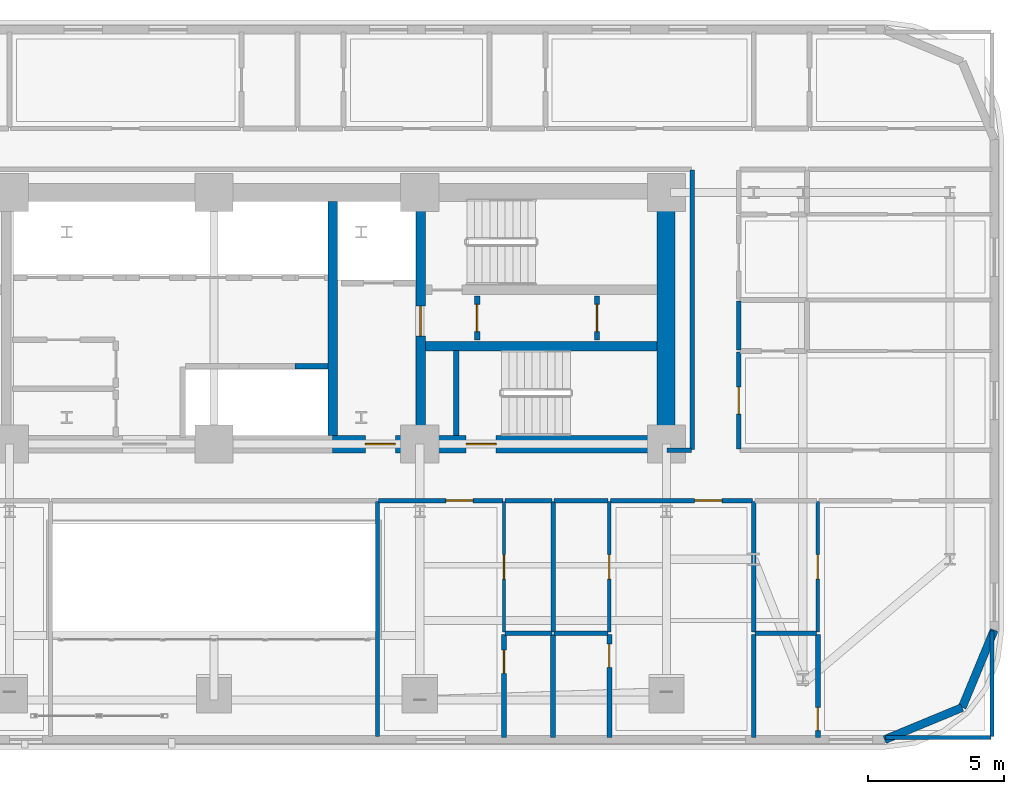
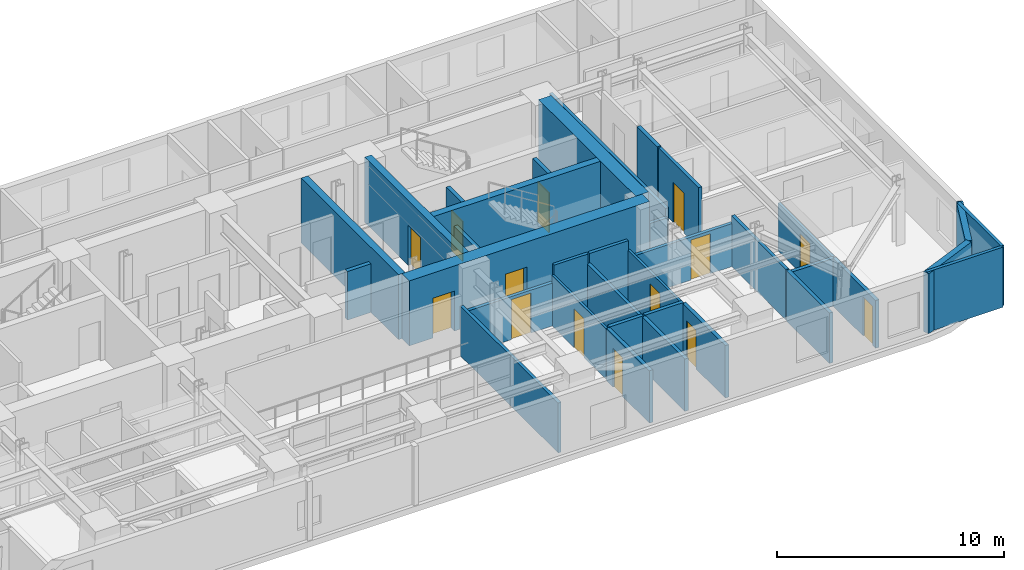
# One storey, part 11 of 16: 35 walls, 14 doors, 14 openings.
"""IFC4 building model written with IfcOpenShell, lengths in metres."""

from ifc_helpers import new_model, si_unit, direction, frame, frame_2d, origin, place, context, subcontext, project, spatial, rectangle, extrude, material, layer, layer_set, type_object, element, fill, save


model = new_model("IFC4")

# Units and contexts
model_context = context("Model", 3, precision=1e-05, world=origin(), true_north=direction((0.0, 1.0)))
body_context = subcontext(model_context, "Body", "Model", "MODEL_VIEW")
ifc_project = project(units=[si_unit("LENGTHUNIT", "METRE"), si_unit("AREAUNIT", "SQUARE_METRE"), si_unit("VOLUMEUNIT", "CUBIC_METRE"), si_unit("PLANEANGLEUNIT", "RADIAN"), si_unit("MASSUNIT", "GRAM", prefix="KILO")], contexts=[model_context])

# Site, building, storey
site_placement = place(None, origin())
site = spatial("IfcSite", under=ifc_project, at=site_placement, CompositionType="ELEMENT")
building_placement = place(site_placement, origin())
building = spatial("IfcBuilding", under=site, at=building_placement, Name="Zarnavel Station Tower", CompositionType="ELEMENT")
storey_placement = place(building_placement, frame((0.0, 0.0, 82.800048828125)))
storey = spatial("IfcBuildingStorey", under=building, at=storey_placement, Name="L22", CompositionType="ELEMENT", Elevation=82.800048828125)

# Wall
ifc_material_1 = material(Name="Concrete C50/60", Category="concrete")
ifc_layer_1 = layer(ifc_material_1, 0.35009765625)
ifc_layer_set_1 = layer_set([ifc_layer_1], Name="CW_350")
wall_type_1 = type_object("IfcWallType", Name="CW_350", PredefinedType="SHEAR", material=ifc_layer_set_1)
wall_1_placement = place(storey_placement, frame((33.14990234375, 28.14501953125, 0.0), z_axis=(0.0, 0.0, 1.0), x_axis=(0.0, 1.0, 0.0)))
element("IfcWall", 1, at=wall_1_placement, inside=storey, type_object=wall_type_1, Name="L22 Rear Core Shear Wall DIV-E", PredefinedType="SHEAR", context=body_context, shape_type="SweptSolid", body=[
    extrude(rectangle(XDim=8.580078125, YDim=0.35009765625, at=frame_2d((4.2900390625, 0.0))), origin(), (0.0, 0.0, 1.0), 3.5),
])

# Wall, opening, door
wall_2_placement = place(storey_placement, frame((36.3798828125, 28.14501953125, 0.0), z_axis=(0.0, 0.0, 1.0), x_axis=(0.0, 1.0, 0.0)))
wall_2 = element("IfcWall", 2, at=wall_2_placement, inside=storey, type_object=wall_type_1, Name="L22 Rear Core Shear Wall DIV-S2", PredefinedType="SHEAR", context=body_context, shape_type="SweptSolid", body=[
    extrude(rectangle(XDim=8.580078125, YDim=0.35009765625, at=frame_2d((4.2900390625, 0.0))), origin(), (0.0, 0.0, 1.0), 3.5),
])
opening_1_placement = place(wall_2_placement, frame((3.635009765625, 0.0, 0.0)))
opening_1 = element("IfcOpeningElement", 3, at=opening_1_placement, cuts=wall_2, Name="Opening FD01", PredefinedType="OPENING", context=body_context, shape_type="SweptSolid", body=[
    extrude(rectangle(XDim=1.10009765625, YDim=2.14990234375, at=frame_2d((0.550048828125, 1.074951171875))), frame((0.0, 0.18505859375, 0.0), z_axis=(0.0, -1.0, 0.0), x_axis=(1.0, 0.0, 0.0)), (0.0, 0.0, 1.0), 0.3701171875),
])
ifc_material_2 = material(Name="Painted Galvanised Steel and Hardwood Leaf", Category="steel")
door_type_1 = type_object("IfcDoorType", Name="ID_STAIR_1100", OperationType="NOTDEFINED", PredefinedType="DOOR", material=ifc_material_2)
door_1_placement = place(opening_1_placement, origin())
door_1 = element("IfcDoor", 4, at=door_1_placement, inside=storey, type_object=door_type_1, Name="L22 East Stair Vestibule Fire Door", OperationType="SINGLE_SWING_LEFT", OverallHeight=2.14990234375, OverallWidth=1.10009765625, PredefinedType="DOOR", context=body_context, shape_type="SweptSolid", body=[
    extrude(rectangle(XDim=1.10009765625, YDim=2.14990234375, at=frame_2d((0.550048828125, 1.074951171875))), frame((0.0, 0.02490234375, 0.0), z_axis=(0.0, -1.0, 0.0), x_axis=(1.0, 0.0, 0.0)), (0.0, 0.0, 1.0), 0.050048828125),
])
fill(opening_1, door_1)

# Wall
wall_3_placement = place(storey_placement, frame((36.554931640625, 31.419921875, 0.0), z_axis=(0.0, 0.0, 1.0), x_axis=(1.0, 0.0, 0.0)))
element("IfcWall", 5, at=wall_3_placement, inside=storey, type_object=wall_type_1, Name="L22 Rear Core Shear Wall DIV-H3", PredefinedType="SHEAR", context=body_context, shape_type="SweptSolid", body=[
    extrude(rectangle(XDim=8.5, YDim=0.35009765625, at=frame_2d((4.25, 0.0))), origin(), (0.0, 0.0, 1.0), 3.5),
])

# Wall, openings, doors
ifc_material_3 = material(Name="Concrete C60/75", Category="concrete")
ifc_layer_2 = layer(ifc_material_3, 0.64990234375)
ifc_layer_set_2 = layer_set([ifc_layer_2], Name="CW_650")
wall_type_2 = type_object("IfcWallType", Name="CW_650", PredefinedType="SHEAR", material=ifc_layer_set_2)
wall_4_placement = place(storey_placement, frame((45.3798828125, 27.820068359375, 0.0), z_axis=(0.0, 0.0, 1.0), x_axis=(-1.0, 0.0, 0.0)))
wall_4 = element("IfcWall", 6, at=wall_4_placement, inside=storey, type_object=wall_type_2, Name="L22 Rear Core Shear Wall S-E", PredefinedType="SHEAR", context=body_context, shape_type="SweptSolid", body=[
    extrude(rectangle(XDim=12.22998046875, YDim=0.64990234375, at=frame_2d((6.114990234375, 0.0))), origin(), (0.0, 0.0, 1.0), 3.5),
])
opening_2_placement = place(wall_4_placement, frame((9.929931640625, 0.0, 0.0)))
opening_2 = element("IfcOpeningElement", 7, at=opening_2_placement, cuts=wall_4, Name="Opening FD01", PredefinedType="OPENING", context=body_context, shape_type="SweptSolid", body=[
    extrude(rectangle(XDim=1.10009765625, YDim=2.14990234375, at=frame_2d((0.550048828125, 1.074951171875))), frame((0.0, 0.3349609375, 0.0), z_axis=(0.0, -1.0, 0.0), x_axis=(1.0, 0.0, 0.0)), (0.0, 0.0, 1.0), 0.669921875),
])
opening_3_placement = place(wall_4_placement, frame((6.22998046875, 0.0, 0.0)))
opening_3 = element("IfcOpeningElement", 8, at=opening_3_placement, cuts=wall_4, Name="Opening FD01", PredefinedType="OPENING", context=body_context, shape_type="SweptSolid", body=[
    extrude(rectangle(XDim=1.10009765625, YDim=2.14990234375, at=frame_2d((0.550048828125, 1.074951171875))), frame((0.0, 0.3349609375, 0.0), z_axis=(0.0, -1.0, 0.0), x_axis=(1.0, 0.0, 0.0)), (0.0, 0.0, 1.0), 0.669921875),
])
door_2_placement = place(opening_2_placement, origin())
door_2 = element("IfcDoor", 9, at=door_2_placement, inside=storey, type_object=door_type_1, Name="L22 East Firefighting Lobby Door", OperationType="SINGLE_SWING_LEFT", OverallHeight=2.14990234375, OverallWidth=1.10009765625, PredefinedType="DOOR", context=body_context, shape_type="SweptSolid", body=[
    extrude(rectangle(XDim=1.10009765625, YDim=2.14990234375, at=frame_2d((0.550048828125, 1.074951171875))), frame((0.0, 0.02490234375, 0.0), z_axis=(0.0, -1.0, 0.0), x_axis=(1.0, 0.0, 0.0)), (0.0, 0.0, 1.0), 0.050048828125),
])
fill(opening_2, door_2)
door_3_placement = place(opening_3_placement, origin())
door_3 = element("IfcDoor", 10, at=door_3_placement, inside=storey, type_object=door_type_1, Name="L22 Stair ST3 Corridor Fire Door", OperationType="SINGLE_SWING_RIGHT", OverallHeight=2.14990234375, OverallWidth=1.10009765625, PredefinedType="DOOR", context=body_context, shape_type="SweptSolid", body=[
    extrude(rectangle(XDim=1.10009765625, YDim=2.14990234375, at=frame_2d((0.550048828125, 1.074951171875))), frame((0.0, 0.02490234375, 0.0), z_axis=(0.0, -1.0, 0.0), x_axis=(1.0, 0.0, 0.0)), (0.0, 0.0, 1.0), 0.050048828125),
])
fill(opening_3, door_3)

# Walls
wall_5_placement = place(storey_placement, frame((45.3798828125, 28.14501953125, 0.0), z_axis=(0.0, 0.0, 1.0), x_axis=(0.0, 1.0, 0.0)))
element("IfcWall", 11, at=wall_5_placement, inside=storey, type_object=wall_type_2, Name="L22 Rear Core Shear Wall E", PredefinedType="SHEAR", context=body_context, shape_type="SweptSolid", body=[
    extrude(rectangle(XDim=8.580078125, YDim=0.64990234375, at=frame_2d((4.2900390625, 0.0))), origin(), (0.0, 0.0, 1.0), 3.5),
])
ifc_material_4 = material(Name="Precast concrete C45/55 (Dark Basalt Finish)", Category="masonry")
ifc_layer_3 = layer(ifc_material_4, 0.300048828125)
ifc_layer_set_3 = layer_set([ifc_layer_3], Name="EW_BASALT_300")
wall_type_3 = type_object("IfcWallType", Name="EW_BASALT_300", PredefinedType="SOLIDWALL", material=ifc_layer_set_3)
wall_6_placement = place(storey_placement, frame((56.24267578125, 18.157470703125, 0.0), z_axis=(0.0, 0.0, 1.0), x_axis=(-0.923882414032, -0.382676475685, 0.0)))
element("IfcWall", 12, at=wall_6_placement, inside=storey, type_object=wall_type_3, Name="L22 Exterior Basalt Masonry Frame Wall 01", PredefinedType="SOLIDWALL", context=body_context, shape_type="SweptSolid", body=[
    extrude(rectangle(XDim=3.076904296875, YDim=0.300048828125, at=frame_2d((1.53857421875, 0.0))), origin(), (0.0, 0.0, 1.0), 3.239990234375),
])
wall_7_placement = place(storey_placement, frame((57.419921875, 21.0, 0.0), z_axis=(0.0, 0.0, 1.0), x_axis=(-0.382636798336, -0.92389884758, 0.0)))
element("IfcWall", 13, at=wall_7_placement, inside=storey, type_object=wall_type_3, Name="L22 Exterior Basalt Masonry Frame Wall 02", PredefinedType="SOLIDWALL", context=body_context, shape_type="SweptSolid", body=[
    extrude(rectangle(XDim=3.07666015625, YDim=0.300048828125, at=frame_2d((1.538330078125, 0.0))), origin(), (0.0, 0.0, 1.0), 3.239990234375),
])

# Wall, opening, door
ifc_material_5 = material(Name="Gypsum Twin-Stud Acoustic Fire Partition", Category="concrete")
ifc_layer_4 = layer(ifc_material_5, 0.159912109375)
ifc_layer_set_4 = layer_set([ifc_layer_4], Name="PT_DEMISE_160")
wall_type_4 = type_object("IfcWallType", Name="PT_DEMISE_160", PredefinedType="PARTITIONING", material=ifc_layer_set_4)
wall_8_placement = place(storey_placement, frame((34.840087890625, 25.75, 0.0), z_axis=(0.0, 0.0, 1.0), x_axis=(1.0, 0.0, 0.0)))
wall_8 = element("IfcWall", 14, at=wall_8_placement, inside=storey, type_object=wall_type_4, Name="L22 Partition COR-S-HE1R", PredefinedType="PARTITIONING", context=body_context, shape_type="SweptSolid", body=[
    extrude(rectangle(XDim=4.556884765625, YDim=0.159912109375, at=frame_2d((2.2783203125, 0.0))), origin(), (0.0, 0.0, 1.0), 2.31005859375),
])
opening_4_placement = place(wall_8_placement, frame((2.461181640625, 0.0, 0.0)))
opening_4 = element("IfcOpeningElement", 15, at=opening_4_placement, cuts=wall_8, Name="Opening FD02", PredefinedType="OPENING", context=body_context, shape_type="SweptSolid", body=[
    extrude(rectangle(XDim=1.0, YDim=2.14990234375, at=frame_2d((0.5, 1.074951171875))), frame((0.0, 0.08984375, 0.0), z_axis=(0.0, -1.0, 0.0), x_axis=(1.0, 0.0, 0.0)), (0.0, 0.0, 1.0), 0.179931640625),
])
ifc_material_6 = material(Name="Painted Galvanised Steel and Hardwood Leaf", Category="steel")
door_type_2 = type_object("IfcDoorType", Name="ID_ENTRY_1000", OperationType="NOTDEFINED", PredefinedType="DOOR", material=ifc_material_6)
door_4_placement = place(opening_4_placement, origin())
door_4 = element("IfcDoor", 16, at=door_4_placement, inside=storey, type_object=door_type_2, Name="L22 Door COR-S-HE1R", OperationType="SINGLE_SWING_RIGHT", OverallHeight=2.14990234375, OverallWidth=1.0, PredefinedType="DOOR", context=body_context, shape_type="SweptSolid", body=[
    extrude(rectangle(XDim=1.0, YDim=2.14990234375, at=frame_2d((0.5, 1.074951171875))), frame((0.0, 0.02490234375, 0.0), z_axis=(0.0, -1.0, 0.0), x_axis=(1.0, 0.0, 0.0)), (0.0, 0.0, 1.0), 0.050048828125),
])
fill(opening_4, door_4)

# Wall
wall_9_placement = place(storey_placement, frame((39.47705078125, 25.75, 0.0), z_axis=(0.0, 0.0, 1.0), x_axis=(1.0, 0.0, 0.0)))
element("IfcWall", 17, at=wall_9_placement, inside=storey, type_object=wall_type_4, Name="L22 Partition COR-S-HE1S", PredefinedType="PARTITIONING", context=body_context, shape_type="SweptSolid", body=[
    extrude(rectangle(XDim=1.722900390625, YDim=0.159912109375, at=frame_2d((0.861328125, 0.0))), origin(), (0.0, 0.0, 1.0), 3.239990234375),
])

# Wall, opening, door
wall_10_placement = place(storey_placement, frame((43.341064453125, 25.75, 0.0), z_axis=(0.0, 0.0, 1.0), x_axis=(1.0, 0.0, 0.0)))
wall_10 = element("IfcWall", 18, at=wall_10_placement, inside=storey, type_object=wall_type_4, Name="L22 Partition COR-S-HE2R", PredefinedType="PARTITIONING", context=body_context, shape_type="SweptSolid", body=[
    extrude(rectangle(XDim=5.218994140625, YDim=0.159912109375, at=frame_2d((2.609375, 0.0))), origin(), (0.0, 0.0, 1.0), 2.31005859375),
])
opening_5_placement = place(wall_10_placement, frame((3.09423828125, 0.0, 0.0)))
opening_5 = element("IfcOpeningElement", 19, at=opening_5_placement, cuts=wall_10, Name="Opening FD02", PredefinedType="OPENING", context=body_context, shape_type="SweptSolid", body=[
    extrude(rectangle(XDim=1.0, YDim=2.14990234375, at=frame_2d((0.5, 1.074951171875))), frame((0.0, 0.08984375, 0.0), z_axis=(0.0, -1.0, 0.0), x_axis=(1.0, 0.0, 0.0)), (0.0, 0.0, 1.0), 0.179931640625),
])
door_5_placement = place(opening_5_placement, origin())
door_5 = element("IfcDoor", 20, at=door_5_placement, inside=storey, type_object=door_type_2, Name="L22 Door COR-S-HE2R", OperationType="SINGLE_SWING_LEFT", OverallHeight=2.14990234375, OverallWidth=1.0, PredefinedType="DOOR", context=body_context, shape_type="SweptSolid", body=[
    extrude(rectangle(XDim=1.0, YDim=2.14990234375, at=frame_2d((0.5, 1.074951171875))), frame((0.0, 0.02490234375, 0.0), z_axis=(0.0, -1.0, 0.0), x_axis=(1.0, 0.0, 0.0)), (0.0, 0.0, 1.0), 0.050048828125),
])
fill(opening_5, door_5)

# Wall
wall_11_placement = place(storey_placement, frame((41.280029296875, 25.75, 0.0), z_axis=(0.0, 0.0, 1.0), x_axis=(1.0, 0.0, 0.0)))
element("IfcWall", 21, at=wall_11_placement, inside=storey, type_object=wall_type_4, Name="L22 Partition COR-S-HE2S", PredefinedType="PARTITIONING", context=body_context, shape_type="SweptSolid", body=[
    extrude(rectangle(XDim=1.98095703125, YDim=0.159912109375, at=frame_2d((0.990478515625, 0.0))), origin(), (0.0, 0.0, 1.0), 3.239990234375),
])

# Wall, opening, door
wall_12_placement = place(storey_placement, frame((48.050048828125, 27.639892578125, 0.0), z_axis=(0.0, 0.0, 1.0), x_axis=(0.0, 1.0, 0.0)))
wall_12 = element("IfcWall", 22, at=wall_12_placement, inside=storey, type_object=wall_type_4, Name="L22 Partition COR-E-FNE1R", PredefinedType="PARTITIONING", context=body_context, shape_type="SweptSolid", body=[
    extrude(rectangle(XDim=3.55615234375, YDim=0.159912109375, at=frame_2d((1.778076171875, 0.0))), origin(), (0.0, 0.0, 1.0), 3.239990234375),
])
opening_6_placement = place(wall_12_placement, frame((1.278076171875, 0.0, 0.0)))
opening_6 = element("IfcOpeningElement", 23, at=opening_6_placement, cuts=wall_12, Name="Opening FD02", PredefinedType="OPENING", context=body_context, shape_type="SweptSolid", body=[
    extrude(rectangle(XDim=1.0, YDim=2.14990234375, at=frame_2d((0.5, 1.074951171875))), frame((0.0, 0.08984375, 0.0), z_axis=(0.0, -1.0, 0.0), x_axis=(1.0, 0.0, 0.0)), (0.0, 0.0, 1.0), 0.179931640625),
])
door_6_placement = place(opening_6_placement, origin())
door_6 = element("IfcDoor", 24, at=door_6_placement, inside=storey, type_object=door_type_2, Name="L22 Door COR-E-FNE1R", OperationType="SINGLE_SWING_LEFT", OverallHeight=2.14990234375, OverallWidth=1.0, PredefinedType="DOOR", context=body_context, shape_type="SweptSolid", body=[
    extrude(rectangle(XDim=1.0, YDim=2.14990234375, at=frame_2d((0.5, 1.074951171875))), frame((0.0, 0.02490234375, 0.0), z_axis=(0.0, -1.0, 0.0), x_axis=(1.0, 0.0, 0.0)), (0.0, 0.0, 1.0), 0.050048828125),
])
fill(opening_6, door_6)

# Walls
for number, where, z_axis, x_axis, name in (
    (25, (41.239990234375, 20.924072265625, 0.0), (0.0, 0.0, 1.0), (0.0, 1.0, 0.0), "L22 Partition HE1S-HE2S"),
    (26, (48.60009765625, 20.924072265625, 0.0), (0.0, 0.0, 1.0), (0.0, 1.0, 0.0), "L22 Partition HE2R-HE3S"),
):
    element("IfcWall", number, at=place(storey_placement, frame(where, z_axis=z_axis, x_axis=x_axis)), inside=storey, type_object=wall_type_4, Name=name, PredefinedType="PARTITIONING", context=body_context, shape_type="SweptSolid", body=[
        extrude(rectangle(XDim=4.785888671875, YDim=0.159912109375, at=frame_2d((2.39306640625, 0.0))), origin(), (0.0, 0.0, 1.0), 2.719970703125),
    ])
wall_13_placement = place(storey_placement, frame((45.409912109375, 27.60009765625, 0.0), z_axis=(0.0, 0.0, 1.0), x_axis=(1.0, 0.0, 0.0)))
element("IfcWall", 27, at=wall_13_placement, inside=storey, type_object=wall_type_4, Name="L22 Enclosure Wall COR-S", PredefinedType="PARTITIONING", context=body_context, shape_type="SweptSolid", body=[
    extrude(rectangle(XDim=0.91015625, YDim=0.159912109375, at=frame_2d((0.455078125, 0.0))), origin(), (0.0, 0.0, 1.0), 2.280029296875),
])
wall_14_placement = place(storey_placement, frame((46.35009765625, 27.6298828125, 0.0), z_axis=(0.0, 0.0, 1.0), x_axis=(0.0, 1.0, 0.0)))
element("IfcWall", 28, at=wall_14_placement, inside=storey, type_object=wall_type_4, Name="L22 Enclosure Wall COR-E", PredefinedType="PARTITIONING", context=body_context, shape_type="SweptSolid", body=[
    extrude(rectangle(XDim=10.240234375, YDim=0.159912109375, at=frame_2d((5.1201171875, 0.0))), origin(), (0.0, 0.0, 1.0), 2.719970703125),
])
wall_15_placement = place(storey_placement, frame((34.800048828125, 17.090087890625, 0.0), z_axis=(0.0, 0.0, 1.0), x_axis=(0.0, 1.0, 0.0)))
element("IfcWall", 29, at=wall_15_placement, inside=storey, type_object=wall_type_4, Name="L22 Enclosure Wall HE1R", PredefinedType="PARTITIONING", context=body_context, shape_type="SweptSolid", body=[
    extrude(rectangle(XDim=8.6298828125, YDim=0.159912109375, at=frame_2d((4.31494140625, 0.0))), origin(), (0.0, 0.0, 1.0), 2.679931640625),
])
wall_16_placement = place(storey_placement, frame((53.429931640625, 17.06005859375, 0.0), z_axis=(0.0, 0.0, 1.0), x_axis=(1.0, 0.0, 0.0)))
element("IfcWall", 30, at=wall_16_placement, inside=storey, type_object=wall_type_4, Name="L22 Enclosure Wall HE3R", PredefinedType="PARTITIONING", context=body_context, shape_type="SweptSolid", body=[
    extrude(rectangle(XDim=3.880126953125, YDim=0.159912109375, at=frame_2d((1.93994140625, 0.0))), origin(), (0.0, 0.0, 1.0), 3.239990234375),
])
wall_17_placement = place(storey_placement, frame((57.340087890625, 17.090087890625, 0.0), z_axis=(0.0, 0.0, 1.0), x_axis=(0.0, 1.0, 0.0)))
element("IfcWall", 31, at=wall_17_placement, inside=storey, type_object=wall_type_4, Name="L22 Enclosure Wall HE3R", PredefinedType="PARTITIONING", context=body_context, shape_type="SweptSolid", body=[
    extrude(rectangle(XDim=3.8798828125, YDim=0.159912109375, at=frame_2d((1.93994140625, 0.0))), origin(), (0.0, 0.0, 1.0), 3.239990234375),
])

# Wall, opening, door
ifc_material_7 = material(Name="Gypsum Metal-Stud Interior Partition", Category="concrete")
ifc_layer_5 = layer(ifc_material_7, 0.1201171875)
ifc_layer_set_5 = layer_set([ifc_layer_5], Name="PT_ROOM_120")
wall_type_5 = type_object("IfcWallType", Name="PT_ROOM_120", PredefinedType="PARTITIONING", material=ifc_layer_set_5)
wall_18_placement = place(storey_placement, frame((39.43701171875, 20.924072265625, 0.0), z_axis=(0.0, 0.0, 1.0), x_axis=(0.0, 1.0, 0.0)))
wall_18 = element("IfcWall", 32, at=wall_18_placement, inside=storey, type_object=wall_type_5, Name="L22 Partition HE1R-HE1S", PredefinedType="PARTITIONING", context=body_context, shape_type="SweptSolid", body=[
    extrude(rectangle(XDim=4.785888671875, YDim=0.1201171875, at=frame_2d((2.39306640625, 0.0))), origin(), (0.0, 0.0, 1.0), 2.719970703125),
])
opening_7_placement = place(wall_18_placement, frame((1.943115234375, 0.0, 0.0)))
opening_7 = element("IfcOpeningElement", 33, at=opening_7_placement, cuts=wall_18, Name="Opening ID01", PredefinedType="OPENING", context=body_context, shape_type="SweptSolid", body=[
    extrude(rectangle(XDim=0.89990234375, YDim=2.10009765625, at=frame_2d((0.449951171875, 1.050048828125))), frame((0.0, 0.070068359375, 0.0), z_axis=(0.0, -1.0, 0.0), x_axis=(1.0, 0.0, 0.0)), (0.0, 0.0, 1.0), 0.14013671875),
])
ifc_material_8 = material(Name="Painted Galvanised Steel and Hardwood Leaf", Category="steel")
door_type_3 = type_object("IfcDoorType", Name="ID_ROOM_900", OperationType="NOTDEFINED", PredefinedType="DOOR", material=ifc_material_8)
door_7_placement = place(opening_7_placement, origin())
door_7 = element("IfcDoor", 34, at=door_7_placement, inside=storey, type_object=door_type_3, Name="L22 Door HE1R-HE1S", OperationType="SINGLE_SWING_LEFT", OverallHeight=2.10009765625, OverallWidth=0.89990234375, PredefinedType="DOOR", context=body_context, shape_type="SweptSolid", body=[
    extrude(rectangle(XDim=0.89990234375, YDim=2.10009765625, at=frame_2d((0.449951171875, 1.050048828125))), frame((0.0, 0.02490234375, 0.0), z_axis=(0.0, -1.0, 0.0), x_axis=(1.0, 0.0, 0.0)), (0.0, 0.0, 1.0), 0.050048828125),
])
fill(opening_7, door_7)

wall_19_placement = place(storey_placement, frame((43.301025390625, 20.924072265625, 0.0), z_axis=(0.0, 0.0, 1.0), x_axis=(0.0, 1.0, 0.0)))
wall_19 = element("IfcWall", 35, at=wall_19_placement, inside=storey, type_object=wall_type_5, Name="L22 Partition HE2R-HE2S", PredefinedType="PARTITIONING", context=body_context, shape_type="SweptSolid", body=[
    extrude(rectangle(XDim=4.785888671875, YDim=0.1201171875, at=frame_2d((2.39306640625, 0.0))), origin(), (0.0, 0.0, 1.0), 2.719970703125),
])
opening_8_placement = place(wall_19_placement, frame((1.943115234375, 0.0, 0.0)))
opening_8 = element("IfcOpeningElement", 36, at=opening_8_placement, cuts=wall_19, Name="Opening ID01", PredefinedType="OPENING", context=body_context, shape_type="SweptSolid", body=[
    extrude(rectangle(XDim=0.89990234375, YDim=2.10009765625, at=frame_2d((0.449951171875, 1.050048828125))), frame((0.0, 0.070068359375, 0.0), z_axis=(0.0, -1.0, 0.0), x_axis=(1.0, 0.0, 0.0)), (0.0, 0.0, 1.0), 0.14013671875),
])
door_8_placement = place(opening_8_placement, origin())
door_8 = element("IfcDoor", 37, at=door_8_placement, inside=storey, type_object=door_type_3, Name="L22 Door HE2R-HE2S", OperationType="SINGLE_SWING_LEFT", OverallHeight=2.10009765625, OverallWidth=0.89990234375, PredefinedType="DOOR", context=body_context, shape_type="SweptSolid", body=[
    extrude(rectangle(XDim=0.89990234375, YDim=2.10009765625, at=frame_2d((0.449951171875, 1.050048828125))), frame((0.0, 0.02490234375, 0.0), z_axis=(0.0, -1.0, 0.0), x_axis=(1.0, 0.0, 0.0)), (0.0, 0.0, 1.0), 0.050048828125),
])
fill(opening_8, door_8)

wall_20_placement = place(storey_placement, frame((50.949951171875, 20.924072265625, 0.0), z_axis=(0.0, 0.0, 1.0), x_axis=(0.0, 1.0, 0.0)))
wall_20 = element("IfcWall", 38, at=wall_20_placement, inside=storey, type_object=wall_type_5, Name="L22 Partition HE3R-HE3S", PredefinedType="PARTITIONING", context=body_context, shape_type="SweptSolid", body=[
    extrude(rectangle(XDim=4.785888671875, YDim=0.1201171875, at=frame_2d((2.39306640625, 0.0))), origin(), (0.0, 0.0, 1.0), 2.570068359375),
])
opening_9_placement = place(wall_20_placement, frame((1.943115234375, 0.0, 0.0)))
opening_9 = element("IfcOpeningElement", 39, at=opening_9_placement, cuts=wall_20, Name="Opening ID01", PredefinedType="OPENING", context=body_context, shape_type="SweptSolid", body=[
    extrude(rectangle(XDim=0.89990234375, YDim=2.10009765625, at=frame_2d((0.449951171875, 1.050048828125))), frame((0.0, 0.070068359375, 0.0), z_axis=(0.0, -1.0, 0.0), x_axis=(1.0, 0.0, 0.0)), (0.0, 0.0, 1.0), 0.14013671875),
])
door_9_placement = place(opening_9_placement, origin())
door_9 = element("IfcDoor", 40, at=door_9_placement, inside=storey, type_object=door_type_3, Name="L22 Door HE3R-HE3S", OperationType="SINGLE_SWING_LEFT", OverallHeight=2.10009765625, OverallWidth=0.89990234375, PredefinedType="DOOR", context=body_context, shape_type="SweptSolid", body=[
    extrude(rectangle(XDim=0.89990234375, YDim=2.10009765625, at=frame_2d((0.449951171875, 1.050048828125))), frame((0.0, 0.02490234375, 0.0), z_axis=(0.0, -1.0, 0.0), x_axis=(1.0, 0.0, 0.0)), (0.0, 0.0, 1.0), 0.050048828125),
])
fill(opening_9, door_9)

# Walls
ifc_material_9 = material(Name="Precast concrete C45/55 (Fire Shaft Blockwork)", Category="masonry")
ifc_layer_6 = layer(ifc_material_9, 0.199951171875)
ifc_layer_set_6 = layer_set([ifc_layer_6], Name="PT_SHAFT_200")
wall_type_6 = type_object("IfcWallType", Name="PT_SHAFT_200", PredefinedType="PARTITIONING", material=ifc_layer_set_6)
wall_21_placement = place(storey_placement, frame((31.77490234375, 30.669921875, 0.0), z_axis=(0.0, 0.0, 1.0), x_axis=(1.0, 0.0, 0.0)))
element("IfcWall", 41, at=wall_21_placement, inside=storey, type_object=wall_type_6, Name="L22 Lift PL-H3 Shaft Front Wall", PredefinedType="PARTITIONING", context=body_context, shape_type="SweptSolid", body=[
    extrude(rectangle(XDim=1.2001953125, YDim=0.199951171875, at=frame_2d((0.60009765625, 0.0))), origin(), (0.0, 0.0, 1.0), 2.619873046875),
])
wall_22_placement = place(storey_placement, frame((37.679931640625, 28.14501953125, 0.0), z_axis=(0.0, 0.0, 1.0), x_axis=(0.0, 1.0, 0.0)))
element("IfcWall", 42, at=wall_22_placement, inside=storey, type_object=wall_type_6, Name="L22 Stair ST3 West Shaft Wall", PredefinedType="PARTITIONING", context=body_context, shape_type="SweptSolid", body=[
    extrude(rectangle(XDim=3.10498046875, YDim=0.199951171875, at=frame_2d((1.552490234375, 0.0))), origin(), (0.0, 0.0, 1.0), 2.619873046875),
])

# Wall, opening, door
wall_23_placement = place(storey_placement, frame((38.449951171875, 31.639892578125, 0.0), z_axis=(0.0, 0.0, 1.0), x_axis=(0.0, 1.0, 0.0)))
wall_23 = element("IfcWall", 43, at=wall_23_placement, inside=storey, type_object=wall_type_6, Name="L22 Partition ESTV-CEA", PredefinedType="PARTITIONING", context=body_context, shape_type="SweptSolid", body=[
    extrude(rectangle(XDim=1.6201171875, YDim=0.199951171875, at=frame_2d((0.81005859375, 0.0))), origin(), (0.0, 0.0, 1.0), 3.239990234375),
])
opening_10_placement = place(wall_23_placement, frame((0.31005859375, 0.0, 0.0)))
opening_10 = element("IfcOpeningElement", 44, at=opening_10_placement, cuts=wall_23, Name="Opening FD02", PredefinedType="OPENING", context=body_context, shape_type="SweptSolid", body=[
    extrude(rectangle(XDim=1.0, YDim=2.14990234375, at=frame_2d((0.5, 1.074951171875))), frame((0.0, 0.10986328125, 0.0), z_axis=(0.0, -1.0, 0.0), x_axis=(1.0, 0.0, 0.0)), (0.0, 0.0, 1.0), 0.219970703125),
])
door_10_placement = place(opening_10_placement, origin())
door_10 = element("IfcDoor", 45, at=door_10_placement, inside=storey, type_object=door_type_2, Name="L22 Door ESTV-CEA", OperationType="SINGLE_SWING_RIGHT", OverallHeight=2.14990234375, OverallWidth=1.0, PredefinedType="DOOR", context=body_context, shape_type="SweptSolid", body=[
    extrude(rectangle(XDim=1.0, YDim=2.14990234375, at=frame_2d((0.5, 1.074951171875))), frame((0.0, 0.02490234375, 0.0), z_axis=(0.0, -1.0, 0.0), x_axis=(1.0, 0.0, 0.0)), (0.0, 0.0, 1.0), 0.050048828125),
])
fill(opening_10, door_10)

wall_24_placement = place(storey_placement, frame((42.85009765625, 31.639892578125, 0.0), z_axis=(0.0, 0.0, 1.0), x_axis=(0.0, 1.0, 0.0)))
wall_24 = element("IfcWall", 46, at=wall_24_placement, inside=storey, type_object=wall_type_6, Name="L22 Partition CEA-CEB", PredefinedType="PARTITIONING", context=body_context, shape_type="SweptSolid", body=[
    extrude(rectangle(XDim=1.6201171875, YDim=0.199951171875, at=frame_2d((0.81005859375, 0.0))), origin(), (0.0, 0.0, 1.0), 3.239990234375),
])
opening_11_placement = place(wall_24_placement, frame((0.31005859375, 0.0, 0.0)))
opening_11 = element("IfcOpeningElement", 47, at=opening_11_placement, cuts=wall_24, Name="Opening FD02", PredefinedType="OPENING", context=body_context, shape_type="SweptSolid", body=[
    extrude(rectangle(XDim=1.0, YDim=2.14990234375, at=frame_2d((0.5, 1.074951171875))), frame((0.0, 0.10986328125, 0.0), z_axis=(0.0, -1.0, 0.0), x_axis=(1.0, 0.0, 0.0)), (0.0, 0.0, 1.0), 0.219970703125),
])
door_11_placement = place(opening_11_placement, origin())
door_11 = element("IfcDoor", 48, at=door_11_placement, inside=storey, type_object=door_type_2, Name="L22 Door CEA-CEB", OperationType="SINGLE_SWING_LEFT", OverallHeight=2.14990234375, OverallWidth=1.0, PredefinedType="DOOR", context=body_context, shape_type="SweptSolid", body=[
    extrude(rectangle(XDim=1.0, YDim=2.14990234375, at=frame_2d((0.5, 1.074951171875))), frame((0.0, 0.02490234375, 0.0), z_axis=(0.0, -1.0, 0.0), x_axis=(1.0, 0.0, 0.0)), (0.0, 0.0, 1.0), 0.050048828125),
])
fill(opening_11, door_11)

# Wall
ifc_material_10 = material(Name="Moisture-Resistant Plumbing Chase Wall", Category="concrete")
ifc_layer_7 = layer(ifc_material_10, 0.179931640625)
ifc_layer_set_7 = layer_set([ifc_layer_7], Name="PW_PLUMB_180")
wall_type_7 = type_object("IfcWallType", Name="PW_PLUMB_180", PredefinedType="PLUMBINGWALL", material=ifc_layer_set_7)
wall_25_placement = place(storey_placement, frame((48.050048828125, 31.27587890625, 0.0), z_axis=(0.0, 0.0, 1.0), x_axis=(0.0, 1.0, 0.0)))
element("IfcWall", 49, at=wall_25_placement, inside=storey, type_object=wall_type_7, Name="L22 Partition COR-E-FNE1B", PredefinedType="PLUMBINGWALL", context=body_context, shape_type="SweptSolid", body=[
    extrude(rectangle(XDim=1.793212890625, YDim=0.179931640625, at=frame_2d((0.896484375, 0.0))), origin(), (0.0, 0.0, 1.0), 3.239990234375),
])

# Wall, opening, door
wall_26_placement = place(storey_placement, frame((39.43701171875, 17.06005859375, 0.0), z_axis=(0.0, 0.0, 1.0), x_axis=(0.0, 1.0, 0.0)))
wall_26 = element("IfcWall", 50, at=wall_26_placement, inside=storey, type_object=wall_type_7, Name="L22 Partition HE1R-HE1B", PredefinedType="PLUMBINGWALL", context=body_context, shape_type="SweptSolid", body=[
    extrude(rectangle(XDim=3.783935546875, YDim=0.179931640625, at=frame_2d((1.89208984375, 0.0))), origin(), (0.0, 0.0, 1.0), 2.820068359375),
])
opening_12_placement = place(wall_26_placement, frame((2.351806640625, 0.0, 0.0)))
opening_12 = element("IfcOpeningElement", 51, at=opening_12_placement, cuts=wall_26, Name="Opening ID02", PredefinedType="OPENING", context=body_context, shape_type="SweptSolid", body=[
    extrude(rectangle(XDim=0.85009765625, YDim=2.10009765625, at=frame_2d((0.425048828125, 1.050048828125))), frame((0.0, 0.099853515625, 0.0), z_axis=(0.0, -1.0, 0.0), x_axis=(1.0, 0.0, 0.0)), (0.0, 0.0, 1.0), 0.199951171875),
])
ifc_material_11 = material(Name="Painted Galvanised Steel and Hardwood Leaf", Category="steel")
door_type_4 = type_object("IfcDoorType", Name="ID_BATH_850", OperationType="NOTDEFINED", PredefinedType="DOOR", material=ifc_material_11)
door_12_placement = place(opening_12_placement, origin())
door_12 = element("IfcDoor", 52, at=door_12_placement, inside=storey, type_object=door_type_4, Name="L22 Door HE1R-HE1B", OperationType="SINGLE_SWING_RIGHT", OverallHeight=2.10009765625, OverallWidth=0.85009765625, PredefinedType="DOOR", context=body_context, shape_type="SweptSolid", body=[
    extrude(rectangle(XDim=0.85009765625, YDim=2.10009765625, at=frame_2d((0.425048828125, 1.050048828125))), frame((0.0, 0.02490234375, 0.0), z_axis=(0.0, -1.0, 0.0), x_axis=(1.0, 0.0, 0.0)), (0.0, 0.0, 1.0), 0.050048828125),
])
fill(opening_12, door_12)

# Walls
wall_27_placement = place(storey_placement, frame((39.47705078125, 20.884033203125, 0.0), z_axis=(0.0, 0.0, 1.0), x_axis=(1.0, 0.0, 0.0)))
element("IfcWall", 53, at=wall_27_placement, inside=storey, type_object=wall_type_7, Name="L22 Partition HE1B-HE1S", PredefinedType="PLUMBINGWALL", context=body_context, shape_type="SweptSolid", body=[
    extrude(rectangle(XDim=1.722900390625, YDim=0.179931640625, at=frame_2d((0.861328125, 0.0))), origin(), (0.0, 0.0, 1.0), 2.869873046875),
])
wall_28_placement = place(storey_placement, frame((41.239990234375, 17.06005859375, 0.0), z_axis=(0.0, 0.0, 1.0), x_axis=(0.0, 1.0, 0.0)))
element("IfcWall", 54, at=wall_28_placement, inside=storey, type_object=wall_type_7, Name="L22 Partition HE1B-HE2B", PredefinedType="PLUMBINGWALL", context=body_context, shape_type="SweptSolid", body=[
    extrude(rectangle(XDim=3.783935546875, YDim=0.179931640625, at=frame_2d((1.89208984375, 0.0))), origin(), (0.0, 0.0, 1.0), 2.820068359375),
])

# Wall, opening, door
wall_29_placement = place(storey_placement, frame((43.301025390625, 17.06005859375, 0.0), z_axis=(0.0, 0.0, 1.0), x_axis=(0.0, 1.0, 0.0)))
wall_29 = element("IfcWall", 55, at=wall_29_placement, inside=storey, type_object=wall_type_7, Name="L22 Partition HE2R-HE2B", PredefinedType="PLUMBINGWALL", context=body_context, shape_type="SweptSolid", body=[
    extrude(rectangle(XDim=3.783935546875, YDim=0.179931640625, at=frame_2d((1.89208984375, 0.0))), origin(), (0.0, 0.0, 1.0), 2.820068359375),
])
opening_13_placement = place(wall_29_placement, frame((2.57275390625, 0.0, 0.0)))
opening_13 = element("IfcOpeningElement", 56, at=opening_13_placement, cuts=wall_29, Name="Opening ID02", PredefinedType="OPENING", context=body_context, shape_type="SweptSolid", body=[
    extrude(rectangle(XDim=0.85009765625, YDim=2.10009765625, at=frame_2d((0.425048828125, 1.050048828125))), frame((0.0, 0.099853515625, 0.0), z_axis=(0.0, -1.0, 0.0), x_axis=(1.0, 0.0, 0.0)), (0.0, 0.0, 1.0), 0.199951171875),
])
door_13_placement = place(opening_13_placement, origin())
door_13 = element("IfcDoor", 57, at=door_13_placement, inside=storey, type_object=door_type_4, Name="L22 Door HE2R-HE2B", OperationType="SINGLE_SWING_RIGHT", OverallHeight=2.10009765625, OverallWidth=0.85009765625, PredefinedType="DOOR", context=body_context, shape_type="SweptSolid", body=[
    extrude(rectangle(XDim=0.85009765625, YDim=2.10009765625, at=frame_2d((0.425048828125, 1.050048828125))), frame((0.0, 0.02490234375, 0.0), z_axis=(0.0, -1.0, 0.0), x_axis=(1.0, 0.0, 0.0)), (0.0, 0.0, 1.0), 0.050048828125),
])
fill(opening_13, door_13)

# Walls
wall_30_placement = place(storey_placement, frame((48.60009765625, 17.06005859375, 0.0), z_axis=(0.0, 0.0, 1.0), x_axis=(0.0, 1.0, 0.0)))
element("IfcWall", 58, at=wall_30_placement, inside=storey, type_object=wall_type_7, Name="L22 Partition HE2R-HE3B", PredefinedType="PLUMBINGWALL", context=body_context, shape_type="SweptSolid", body=[
    extrude(rectangle(XDim=3.783935546875, YDim=0.179931640625, at=frame_2d((1.89208984375, 0.0))), origin(), (0.0, 0.0, 1.0), 2.719970703125),
])
wall_31_placement = place(storey_placement, frame((41.280029296875, 20.884033203125, 0.0), z_axis=(0.0, 0.0, 1.0), x_axis=(1.0, 0.0, 0.0)))
element("IfcWall", 59, at=wall_31_placement, inside=storey, type_object=wall_type_7, Name="L22 Partition HE2B-HE2S", PredefinedType="PLUMBINGWALL", context=body_context, shape_type="SweptSolid", body=[
    extrude(rectangle(XDim=1.98095703125, YDim=0.179931640625, at=frame_2d((0.990478515625, 0.0))), origin(), (0.0, 0.0, 1.0), 2.869873046875),
])

# Wall, opening, door
wall_32_placement = place(storey_placement, frame((50.949951171875, 17.06005859375, 0.0), z_axis=(0.0, 0.0, 1.0), x_axis=(0.0, 1.0, 0.0)))
wall_32 = element("IfcWall", 60, at=wall_32_placement, inside=storey, type_object=wall_type_7, Name="L22 Partition HE3R-HE3B", PredefinedType="PLUMBINGWALL", context=body_context, shape_type="SweptSolid", body=[
    extrude(rectangle(XDim=3.783935546875, YDim=0.179931640625, at=frame_2d((1.89208984375, 0.0))), origin(), (0.0, 0.0, 1.0), 2.570068359375),
])
opening_14_placement = place(wall_32_placement, frame((0.25048828125, 0.0, 0.0)))
opening_14 = element("IfcOpeningElement", 61, at=opening_14_placement, cuts=wall_32, Name="Opening ID02", PredefinedType="OPENING", context=body_context, shape_type="SweptSolid", body=[
    extrude(rectangle(XDim=0.85009765625, YDim=2.10009765625, at=frame_2d((0.425048828125, 1.050048828125))), frame((0.0, 0.099853515625, 0.0), z_axis=(0.0, -1.0, 0.0), x_axis=(1.0, 0.0, 0.0)), (0.0, 0.0, 1.0), 0.199951171875),
])
door_14_placement = place(opening_14_placement, origin())
door_14 = element("IfcDoor", 62, at=door_14_placement, inside=storey, type_object=door_type_4, Name="L22 Door HE3R-HE3B", OperationType="SINGLE_SWING_RIGHT", OverallHeight=2.10009765625, OverallWidth=0.85009765625, PredefinedType="DOOR", context=body_context, shape_type="SweptSolid", body=[
    extrude(rectangle(XDim=0.85009765625, YDim=2.10009765625, at=frame_2d((0.425048828125, 1.050048828125))), frame((0.0, 0.02490234375, 0.0), z_axis=(0.0, -1.0, 0.0), x_axis=(1.0, 0.0, 0.0)), (0.0, 0.0, 1.0), 0.050048828125),
])
fill(opening_14, door_14)

# Wall
wall_33_placement = place(storey_placement, frame((48.639892578125, 20.884033203125, 0.0), z_axis=(0.0, 0.0, 1.0), x_axis=(1.0, 0.0, 0.0)))
element("IfcWall", 63, at=wall_33_placement, inside=storey, type_object=wall_type_7, Name="L22 Partition HE3B-HE3S", PredefinedType="PLUMBINGWALL", context=body_context, shape_type="SweptSolid", body=[
    extrude(rectangle(XDim=2.27001953125, YDim=0.179931640625, at=frame_2d((1.135009765625, 0.0))), origin(), (0.0, 0.0, 1.0), 2.570068359375),
])

save(model, "model.ifc")
